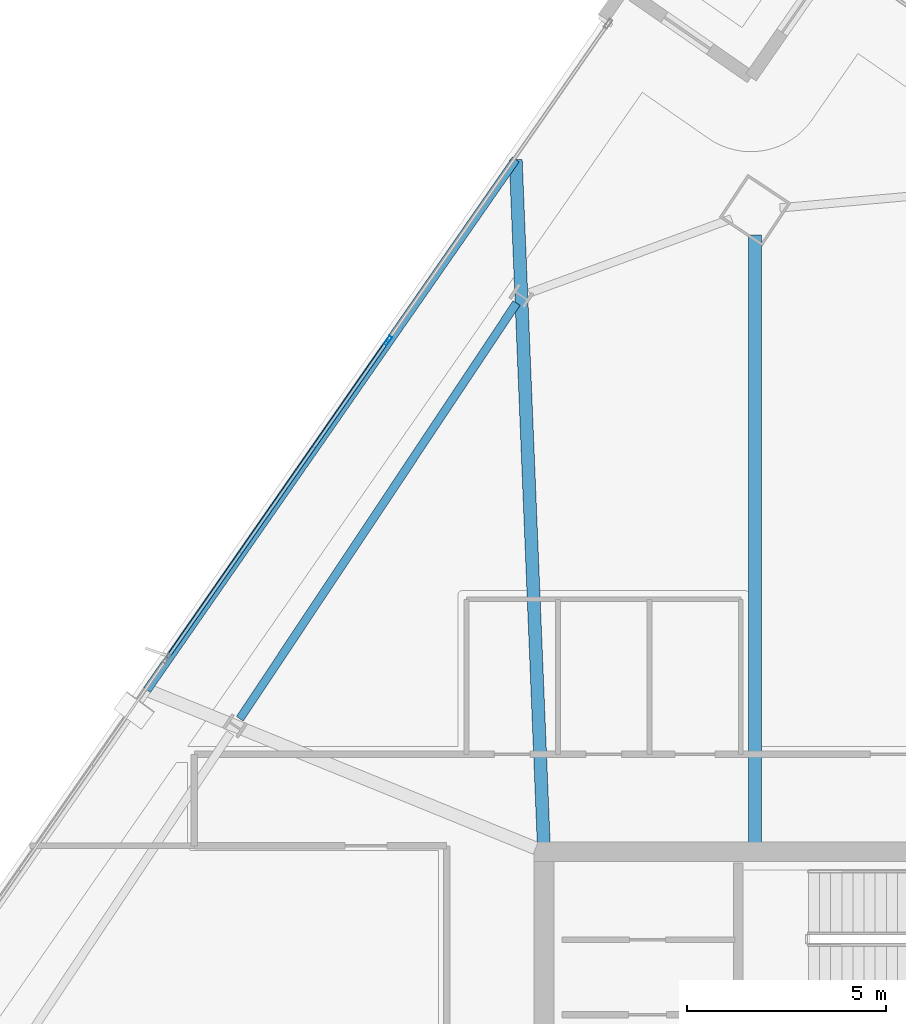
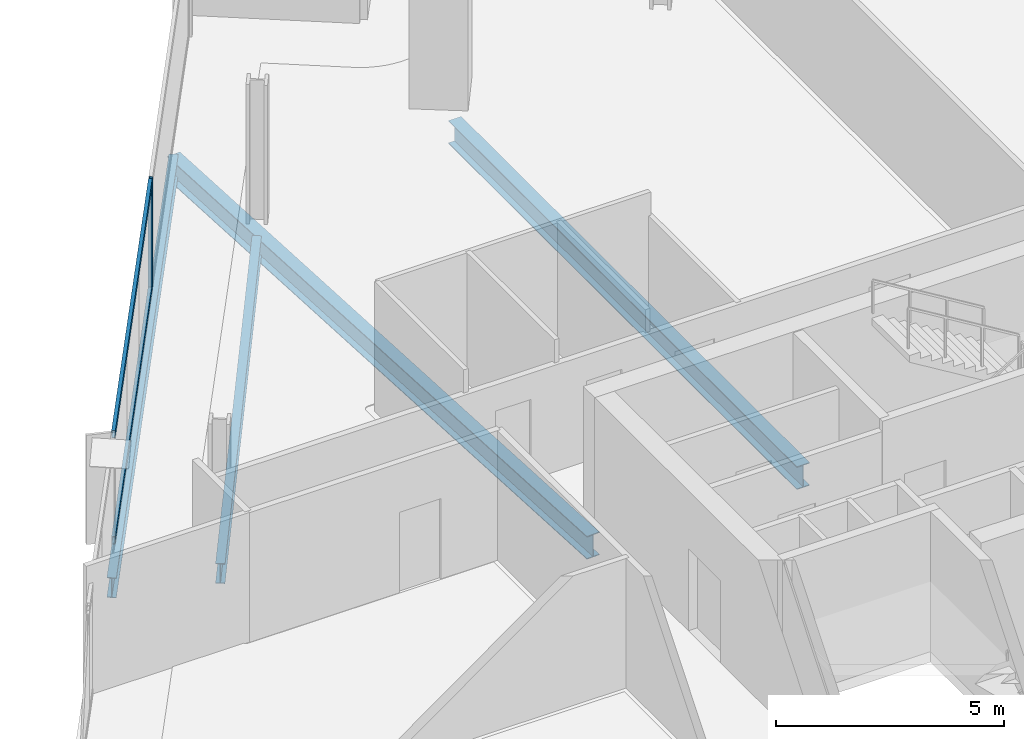
# One storey, part 15 of 30: 4 beams, 3 members, 1 element without a shape of its own.
"""IFC4 building model written with IfcOpenShell, lengths in metres."""

from ifc_helpers import new_model, si_unit, direction, frame, origin, origin_2d, place, context, subcontext, project, spatial, hollow_rectangle, i_section, extrude, material, material_profile, profile_set, type_object, element, aggregate, save


model = new_model("IFC4")

# Units and contexts
model_context = context("Model", 3, precision=1e-05, world=origin(), true_north=direction((0.0, 1.0)))
body_context = subcontext(model_context, "Body", "Model", "MODEL_VIEW")
ifc_project = project(units=[si_unit("LENGTHUNIT", "METRE"), si_unit("AREAUNIT", "SQUARE_METRE"), si_unit("VOLUMEUNIT", "CUBIC_METRE"), si_unit("PLANEANGLEUNIT", "RADIAN"), si_unit("MASSUNIT", "GRAM", prefix="KILO")], contexts=[model_context])

# Site, building, storey
site_placement = place(None, origin())
site = spatial("IfcSite", under=ifc_project, at=site_placement, CompositionType="ELEMENT")
building_placement = place(site_placement, origin())
building = spatial("IfcBuilding", under=site, at=building_placement, Name="Haldenkirk Collegiate Tower", CompositionType="ELEMENT")
storey_placement = place(building_placement, frame((0.0, 0.0, 213.449951171875)))
storey = spatial("IfcBuildingStorey", under=building, at=storey_placement, Name="L53", CompositionType="ELEMENT", Elevation=213.449951171875)

# Beams
ifc_material_1 = material(Name="Steel ASTM A992 Grade 50", Category="steel")
ifc_material_profile_1 = material_profile(ifc_material_1, i_section(OverallWidth=0.324951171875, OverallDepth=0.615966796875, WebThickness=0.013916015625, FlangeThickness=0.021484375, at=origin_2d()), Name="W24X117")
ifc_profile_set_1 = profile_set([ifc_material_profile_1], Name="Steel ASTM A992 Grade 50")
beam_type_1 = type_object("IfcBeamType", Name="BM-GIRDER-W24X117", PredefinedType="BEAM", material=ifc_profile_set_1)
beam_1_placement = place(storey_placement, frame((32.30810546875, 49.5107421875, -0.587890625), z_axis=(0.0, -1.0, 0.0), x_axis=(1.0, 0.0, 0.0)))
element("IfcBeam", 1, at=beam_1_placement, inside=storey, type_object=beam_type_1, Name="L53 primary floor girder 03", PredefinedType="BEAM", context=body_context, shape_type="SweptSolid", body=[
    extrude(i_section(OverallWidth=0.324951171875, OverallDepth=0.615966796875, WebThickness=0.013916015625, FlangeThickness=0.021484375, at=origin_2d()), origin(), (0.0, 0.0, 1.0), 15.28076171875),
])
beam_2_placement = place(storey_placement, frame((26.287353515625, 51.41455078125, -0.587890625), z_axis=(0.040881279062, -0.999164011072, 0.0), x_axis=(0.999164011072, 0.040881279062, 0.0)))
element("IfcBeam", 2, at=beam_2_placement, inside=storey, type_object=beam_type_1, Name="L53 primary floor girder 11", PredefinedType="BEAM", context=body_context, shape_type="SweptSolid", body=[
    extrude(i_section(OverallWidth=0.324951171875, OverallDepth=0.615966796875, WebThickness=0.013916015625, FlangeThickness=0.021484375, at=origin_2d()), origin(), (0.0, 0.0, 1.0), 17.19921875),
])
ifc_material_profile_2 = material_profile(ifc_material_1, i_section(OverallWidth=0.2099609375, OverallDepth=0.537109375, WebThickness=0.010986328125, FlangeThickness=0.017333984375, at=origin_2d()), Name="W21X68")
ifc_profile_set_2 = profile_set([ifc_material_profile_2], Name="Steel ASTM A992 Grade 50")
beam_type_2 = type_object("IfcBeamType", Name="BM-SPANDREL-W21X68", PredefinedType="SPANDREL", material=ifc_profile_set_2)
beam_3_placement = place(storey_placement, frame((26.3076171875, 47.80322265625, -0.54833984375), z_axis=(-0.554125989098, -0.832432813028, 0.0), x_axis=(0.832432813028, -0.554125989098, 0.0)))
element("IfcBeam", 3, at=beam_3_placement, inside=storey, type_object=beam_type_2, Name="L53 perimeter spandrel beam 10", PredefinedType="SPANDREL", context=body_context, shape_type="SweptSolid", body=[
    extrude(i_section(OverallWidth=0.2099609375, OverallDepth=0.537109375, WebThickness=0.010986328125, FlangeThickness=0.017333984375, at=origin_2d()), origin(), (0.0, 0.0, 1.0), 12.56201171875),
])
beam_4_placement = place(storey_placement, frame((26.287353515625, 51.41455078125, -0.54833984375), z_axis=(-0.570714126641, -0.821148820648, 0.0), x_axis=(0.821148820648, -0.570714126641, 0.0)))
element("IfcBeam", 4, at=beam_4_placement, inside=storey, type_object=beam_type_2, Name="L53 outer facade edge beam 3A", PredefinedType="SPANDREL", context=body_context, shape_type="SweptSolid", body=[
    extrude(i_section(OverallWidth=0.2099609375, OverallDepth=0.537109375, WebThickness=0.010986328125, FlangeThickness=0.017333984375, at=origin_2d()), origin(), (0.0, 0.0, 1.0), 16.25390625),
])

# Curtain wall, members
ifc_material_2 = material(Name="Anodised architectural bronze aluminium", Category="aluminium")
curtain_wall_type = type_object("IfcCurtainWallType", Name="CW-SYS1B-CONVEX-HI", PredefinedType="USERDEFINED", material=ifc_material_2)
curtain_wall_placement = place(storey_placement, origin())
curtain_wall = element("IfcCurtainWall", 5, at=curtain_wall_placement, inside=storey, type_object=curtain_wall_type, Name="L53 Upper tower high-wind convex bronze unitised curtain wall", ObjectType="UNITISED CURTAIN WALL", PredefinedType="USERDEFINED")
ifc_material_profile_3 = material_profile(ifc_material_2, hollow_rectangle(XDim=0.0849609375, YDim=0.25, WallThickness=0.0048828125, at=origin_2d()), Name="CW-MUL-1B")
ifc_profile_set_3 = profile_set([ifc_material_profile_3], Name="Anodised architectural bronze aluminium")
member_type_1 = type_object("IfcMemberType", Name="CW-MUL-1B", PredefinedType="MULLION", material=ifc_profile_set_3)
member_1_placement = place(storey_placement, frame((23.072265625, 46.858642578125, 0.0), z_axis=(0.0, 0.0, 1.0), x_axis=(-0.82114819766, 0.570715023002, 0.0)))
member_1 = element("IfcMember", 6, at=member_1_placement, type_object=member_type_1, Name="CW-1B mullion 4", PredefinedType="MULLION", context=body_context, shape_type="SweptSolid", body=[
    extrude(hollow_rectangle(XDim=0.0849609375, YDim=0.25, WallThickness=0.0048828125, at=origin_2d()), origin(), (0.0, 0.0, 1.0), 2.927978515625),
])
ifc_material_profile_4 = material_profile(ifc_material_2, hollow_rectangle(XDim=0.0849609375, YDim=0.199951171875, WallThickness=0.0048828125, at=origin_2d()), Name="CW-TRN-1B")
ifc_profile_set_4 = profile_set([ifc_material_profile_4], Name="Anodised architectural bronze aluminium")
member_type_2 = type_object("IfcMemberType", Name="CW-TRN-1B", PredefinedType="USERDEFINED", material=ifc_profile_set_4)
member_2_placement = place(storey_placement, frame((17.531982421875, 38.887451171875, 0.04248046875), z_axis=(0.570714358757, 0.821148659324, 0.0), x_axis=(-0.821148659324, 0.570714358757, 0.0)))
member_2 = element("IfcMember", 7, at=member_2_placement, type_object=member_type_2, Name="CW-1B transom 3.1", ObjectType="TRANSOM", PredefinedType="USERDEFINED", context=body_context, shape_type="SweptSolid", body=[
    extrude(hollow_rectangle(XDim=0.0849609375, YDim=0.199951171875, WallThickness=0.0048828125, at=origin_2d()), origin(), (0.0, 0.0, 1.0), 9.664794921875),
])
member_3_placement = place(storey_placement, frame((17.531982421875, 38.887451171875, 2.885498046875), z_axis=(0.570714358757, 0.821148659324, 0.0), x_axis=(-0.821148659324, 0.570714358757, 0.0)))
member_3 = element("IfcMember", 8, at=member_3_placement, type_object=member_type_2, Name="CW-1B transom 3.2", ObjectType="TRANSOM", PredefinedType="USERDEFINED", context=body_context, shape_type="SweptSolid", body=[
    extrude(hollow_rectangle(XDim=0.0849609375, YDim=0.199951171875, WallThickness=0.0048828125, at=origin_2d()), origin(), (0.0, 0.0, 1.0), 9.664794921875),
])
aggregate(curtain_wall, [member_1, member_2, member_3])

save(model, "model.ifc")
